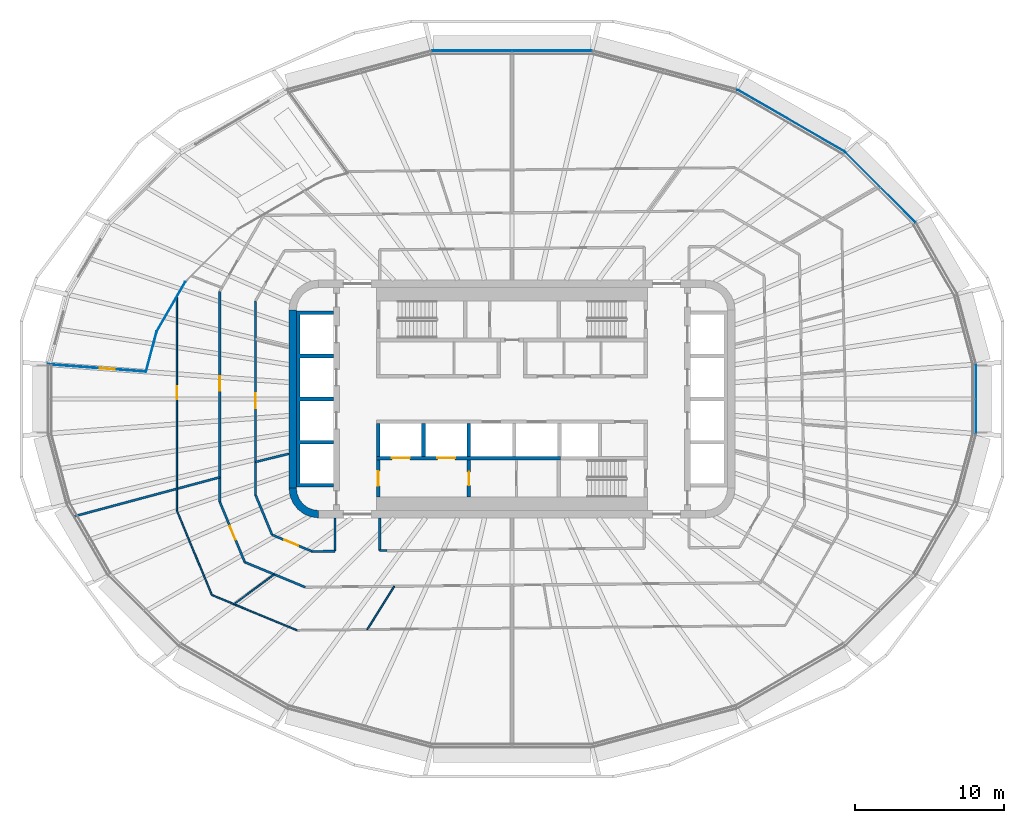
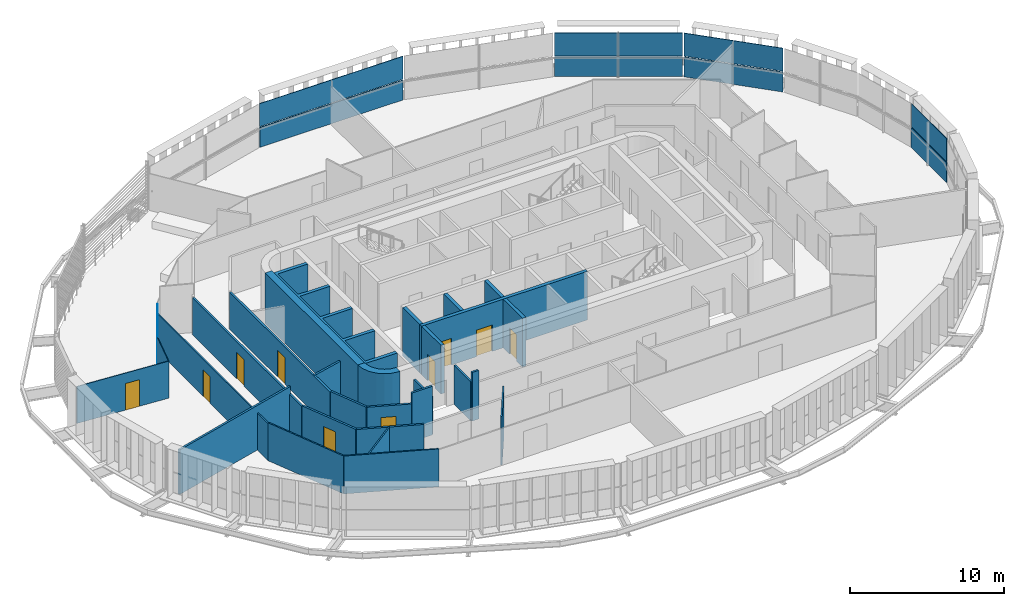
# One storey, part 11 of 23: 29 walls, 10 doors, 8 plates, 10 openings, 4 elements without a shape of their own.
"""IFC4 building model written with IfcOpenShell, lengths in metres."""

from ifc_helpers import new_model, si_unit, direction, frame, frame_2d, origin, place, context, subcontext, project, spatial, polyline, rectangle, outline, extrude, material, layer, layer_set, type_object, element, fill, aggregate, save


model = new_model("IFC4")

# Units and contexts
model_context = context("Model", 3, precision=1e-05, world=origin(), true_north=direction((0.0, 1.0)))
body_context = subcontext(model_context, "Body", "Model", "MODEL_VIEW")
ifc_project = project(units=[si_unit("LENGTHUNIT", "METRE"), si_unit("AREAUNIT", "SQUARE_METRE"), si_unit("VOLUMEUNIT", "CUBIC_METRE"), si_unit("PLANEANGLEUNIT", "RADIAN"), si_unit("MASSUNIT", "GRAM", prefix="KILO")], contexts=[model_context])

# Site, building, storey
site_placement = place(None, origin())
site = spatial("IfcSite", under=ifc_project, at=site_placement, CompositionType="ELEMENT")
building_placement = place(site_placement, origin())
building = spatial("IfcBuilding", under=site, at=building_placement, Name="Sahrelin Media Tower", CompositionType="ELEMENT")
storey_placement = place(building_placement, frame((0.0, 0.0, 169.60009765625)))
storey = spatial("IfcBuildingStorey", under=building, at=storey_placement, Name="L35", CompositionType="ELEMENT", Elevation=169.60009765625)

# Curtain wall, plate
ifc_material_1 = material(Name="Champagne anodised aluminium 6063-T6", Category="aluminium")
ifc_layer_1 = layer(ifc_material_1, 0.14990234375)
ifc_layer_set_1 = layer_set([ifc_layer_1], Name="Tower ribbon curtain wall")
curtain_wall_type = type_object("IfcCurtainWallType", Name="Tower ribbon curtain wall", PredefinedType="NOTDEFINED", material=ifc_layer_set_1)
curtain_wall_1_placement = place(storey_placement, frame((31.216552734375, 0.0, 0.0), z_axis=(0.0, 0.0, 1.0), x_axis=(1.0, 0.0, 0.0)))
curtain_wall_1 = element("IfcCurtainWall", 1, at=curtain_wall_1_placement, inside=storey, type_object=curtain_wall_type, Name="L35:CW:L35-00", PredefinedType="NOTDEFINED")
ifc_material_2 = material(Name="Clear low-iron glazing", Category="glass")
ifc_layer_2 = layer(ifc_material_2, 0.0439453125)
ifc_layer_set_2 = layer_set([ifc_layer_2], Name="Glazing panel 44 mm CW1B")
plate_type_1 = type_object("IfcPlateType", Name="Glazing panel 44 mm CW1B", PredefinedType="CURTAIN_PANEL", material=ifc_layer_set_2)
plate_1_placement = place(storey_placement, frame((31.236572265625, -2.282470703125, 1.6298828125), z_axis=(1.0, 0.0, 0.0), x_axis=(0.0, 1.0, 0.0)))
plate_1 = element("IfcPlate", 2, at=plate_1_placement, type_object=plate_type_1, Name="L35:CWP2:L35-00", PredefinedType="CURTAIN_PANEL", context=body_context, shape_type="SweptSolid", body=[
    extrude(outline(polyline([(0.0, 0.0), (4.56494140625, 0.0), (4.56494140625, 1.818603515625), (0.0, 1.818603515625), (0.0, 0.0)])), origin(), (0.0, 0.0, -1.0), 0.0439453125),
])

curtain_wall_2_placement = place(storey_placement, frame((24.794189453125, 14.236083984375, 0.0), z_axis=(0.0, 0.0, 1.0), x_axis=(1.0, 0.0, 0.0)))
curtain_wall_2 = element("IfcCurtainWall", 3, at=curtain_wall_2_placement, inside=storey, type_object=curtain_wall_type, Name="L35:CW:L35-03", PredefinedType="NOTDEFINED")
plate_2_placement = place(storey_placement, frame((27.1572265625, 11.9013671875, 1.6298828125), z_axis=(0.707106781187, 0.707106781187, 0.0), x_axis=(-0.707106781187, 0.707106781187, 0.0)))
plate_2 = element("IfcPlate", 4, at=plate_2_placement, type_object=plate_type_1, Name="L35:CWP2:L35-03", PredefinedType="CURTAIN_PANEL", context=body_context, shape_type="SweptSolid", body=[
    extrude(outline(polyline([(0.0, 0.0), (6.6435546875, 0.0), (6.6435546875, 1.818603515625), (0.0, 1.818603515625), (0.0, 0.0)])), origin(), (0.0, 0.0, -1.0), 0.0439453125),
])

curtain_wall_3_placement = place(storey_placement, frame((18.77099609375, 18.72119140625, 0.0), z_axis=(0.0, 0.0, 1.0), x_axis=(1.0, 0.0, 0.0)))
curtain_wall_3 = element("IfcCurtainWall", 5, at=curtain_wall_3_placement, inside=storey, type_object=curtain_wall_type, Name="L35:CW:L35-04", PredefinedType="NOTDEFINED")
plate_3_placement = place(storey_placement, frame((22.376708984375, 16.66259765625, 1.6298828125), z_axis=(0.499990528583, 0.866030872041, 0.0), x_axis=(-0.866030872041, 0.499990528583, 0.0)))
plate_3 = element("IfcPlate", 6, at=plate_3_placement, type_object=plate_type_1, Name="L35:CWP2:L35-04", PredefinedType="CURTAIN_PANEL", context=body_context, shape_type="SweptSolid", body=[
    extrude(outline(polyline([(0.0, 0.0), (8.303955078125, 0.0), (8.303955078125, 1.818603515625), (0.0, 1.818603515625), (0.0, 0.0)])), origin(), (0.0, 0.0, -1.0), 0.0439453125),
])

curtain_wall_4_placement = place(storey_placement, frame((0.0, 23.428466796875, 0.0), z_axis=(0.0, 0.0, 1.0), x_axis=(1.0, 0.0, 0.0)))
curtain_wall_4 = element("IfcCurtainWall", 7, at=curtain_wall_4_placement, inside=storey, type_object=curtain_wall_type, Name="L35:CW:L35-06", PredefinedType="NOTDEFINED")
plate_4_placement = place(storey_placement, frame((5.35546875, 23.448486328125, 1.6298828125), z_axis=(0.0, 1.0, 0.0), x_axis=(-1.0, 0.0, 0.0)))
plate_4 = element("IfcPlate", 8, at=plate_4_placement, type_object=plate_type_1, Name="L35:CWP2:L35-06", PredefinedType="CURTAIN_PANEL", context=body_context, shape_type="SweptSolid", body=[
    extrude(outline(polyline([(0.0, 0.0), (10.7109375, 0.0), (10.7109375, 1.818603515625), (0.0, 1.818603515625), (0.0, 0.0)])), origin(), (0.0, 0.0, -1.0), 0.0439453125),
])

# Plate
ifc_material_3 = material(Name="Insulated spandrel panel")
ifc_layer_3 = layer(ifc_material_3, 0.06005859375)
ifc_layer_set_3 = layer_set([ifc_layer_3], Name="Spandrel panel 60 mm CW1")
plate_type_2 = type_object("IfcPlateType", Name="Spandrel panel 60 mm CW1", PredefinedType="SHEET", material=ifc_layer_set_3)
plate_5_placement = place(storey_placement, frame((31.236572265625, -2.282470703125, 0.0), z_axis=(1.0, 0.0, 0.0), x_axis=(0.0, 1.0, 0.0)))
plate_5 = element("IfcPlate", 9, at=plate_5_placement, type_object=plate_type_2, Name="L35:CWP1:L35-00", PredefinedType="SHEET", context=body_context, shape_type="SweptSolid", body=[
    extrude(outline(polyline([(0.0, 0.0), (4.56494140625, 0.0), (4.56494140625, 1.56982421875), (0.0, 1.56982421875), (0.0, 0.0)])), origin(), (0.0, 0.0, -1.0), 0.06005859375),
])

aggregate(curtain_wall_1, [plate_5, plate_1])

plate_6_placement = place(storey_placement, frame((27.1572265625, 11.9013671875, 0.0), z_axis=(0.707106781187, 0.707106781187, 0.0), x_axis=(-0.707106781187, 0.707106781187, 0.0)))
plate_6 = element("IfcPlate", 10, at=plate_6_placement, type_object=plate_type_2, Name="L35:CWP1:L35-03", PredefinedType="SHEET", context=body_context, shape_type="SweptSolid", body=[
    extrude(outline(polyline([(0.0, 0.0), (6.6435546875, 0.0), (6.6435546875, 1.56982421875), (0.0, 1.56982421875), (0.0, 0.0)])), origin(), (0.0, 0.0, -1.0), 0.06005859375),
])

aggregate(curtain_wall_2, [plate_6, plate_2])

plate_7_placement = place(storey_placement, frame((22.376708984375, 16.66259765625, 0.0), z_axis=(0.499990528583, 0.866030872041, 0.0), x_axis=(-0.866030872041, 0.499990528583, 0.0)))
plate_7 = element("IfcPlate", 11, at=plate_7_placement, type_object=plate_type_2, Name="L35:CWP1:L35-04", PredefinedType="SHEET", context=body_context, shape_type="SweptSolid", body=[
    extrude(outline(polyline([(0.0, 0.0), (8.303955078125, 0.0), (8.303955078125, 1.56982421875), (0.0, 1.56982421875), (0.0, 0.0)])), origin(), (0.0, 0.0, -1.0), 0.06005859375),
])

aggregate(curtain_wall_3, [plate_7, plate_3])

plate_8_placement = place(storey_placement, frame((5.35546875, 23.448486328125, 0.0), z_axis=(0.0, 1.0, 0.0), x_axis=(-1.0, 0.0, 0.0)))
plate_8 = element("IfcPlate", 12, at=plate_8_placement, type_object=plate_type_2, Name="L35:CWP1:L35-06", PredefinedType="SHEET", context=body_context, shape_type="SweptSolid", body=[
    extrude(outline(polyline([(0.0, 0.0), (10.7109375, 0.0), (10.7109375, 1.56982421875), (0.0, 1.56982421875), (0.0, 0.0)])), origin(), (0.0, 0.0, -1.0), 0.06005859375),
])

aggregate(curtain_wall_4, [plate_8, plate_4])

# Walls
ifc_material_4 = material(Name="Concrete C60/75", Category="concrete")
ifc_layer_4 = layer(ifc_material_4, 0.5)
ifc_layer_set_4 = layer_set([ifc_layer_4], Name="Core wall 500")
wall_type_1 = type_object("IfcWallType", Name="Core wall 500", PredefinedType="SHEAR", material=ifc_layer_set_4)
wall_1_placement = place(storey_placement, frame((-14.75, -6.0, 0.0), z_axis=(0.0, 0.0, 1.0), x_axis=(0.0, 1.0, 0.0)))
element("IfcWall", 13, at=wall_1_placement, inside=storey, type_object=wall_type_1, Name="Core wall W L35", PredefinedType="SHEAR", context=body_context, shape_type="SweptSolid", body=[
    extrude(rectangle(XDim=12.0, YDim=0.5, at=frame_2d((6.0, 0.0))), origin(), (0.0, 0.0, 1.0), 4.0),
])
placement = place(storey_placement, origin())
element("IfcWall", 14, at=placement, inside=storey, type_object=wall_type_1, Name="Core wall corner SW L35", PredefinedType="SHEAR", context=body_context, shape_type="SweptSolid", body=[
    extrude(outline(polyline([(-13.0, -8.0), (-13.0, -7.49560546875), (-13.38720703125, -7.44482421875), (-13.747802734375, -7.29541015625), (-14.0576171875, -7.0576171875), (-14.29541015625, -6.747802734375), (-14.44482421875, -6.38720703125), (-14.49560546875, -6.0), (-15.0, -6.0), (-14.931884765625, -6.517578125), (-14.732177734375, -7.0), (-14.414306640625, -7.414306640625), (-14.0, -7.732177734375), (-13.517578125, -7.931884765625), (-13.0, -8.0)])), origin(), (0.0, 0.0, 1.0), 4.0),
])

# Wall, opening, door
ifc_material_5 = material(Name="Fire-rated gypsum board partition")
ifc_layer_5 = layer(ifc_material_5, 0.14990234375)
ifc_layer_set_5 = layer_set([ifc_layer_5], Name="Fire-rated partition 150")
wall_type_2 = type_object("IfcWallType", Name="Fire-rated partition 150", PredefinedType="PARTITIONING", material=ifc_layer_set_5)
wall_3_placement = place(storey_placement, frame((-19.64990234375, -6.925048828125, 0.0), z_axis=(0.0, 0.0, 1.0), x_axis=(0.38279467838, -0.923833445056, 0.0)))
wall_3 = element("IfcWall", 15, at=wall_3_placement, inside=storey, type_object=wall_type_2, Name="Wall", PredefinedType="PARTITIONING", context=body_context, shape_type="SweptSolid", body=[
    extrude(rectangle(XDim=4.381591796875, YDim=0.14990234375, at=frame_2d((2.19091796875, 0.0))), origin(), (0.0, 0.0, 1.0), 2.994873046875),
])
opening_1_placement = place(wall_3_placement, frame((1.744140625, 0.0, 0.0)))
opening_1 = element("IfcOpeningElement", 16, at=opening_1_placement, cuts=wall_3, Name="Opening L35-D33", PredefinedType="OPENING", context=body_context, shape_type="SweptSolid", body=[
    extrude(rectangle(XDim=1.0, YDim=2.10009765625, at=frame_2d((0.5, 1.050048828125))), frame((0.0, 0.074951171875, 0.0), z_axis=(0.0, -1.0, 0.0), x_axis=(1.0, 0.0, 0.0)), (0.0, 0.0, 1.0), 0.14990234375),
])
ifc_material_6 = material(Name="Steel fire door leaf", Category="steel")
door_type_1 = type_object("IfcDoorType", Name="Fire door 1000 x 2100 EI 60", OperationType="NOTDEFINED", PredefinedType="DOOR", material=ifc_material_6)
door_1_placement = place(opening_1_placement, origin())
door_1 = element("IfcDoor", 17, at=door_1_placement, inside=storey, type_object=door_type_1, Name="Fire door", OperationType="SINGLE_SWING_LEFT", OverallHeight=2.10009765625, OverallWidth=1.0, PredefinedType="DOOR", context=body_context, shape_type="SweptSolid", body=[
    extrude(rectangle(XDim=1.0, YDim=2.10009765625, at=frame_2d((0.5, 1.050048828125))), frame((0.0, 0.02490234375, 0.0), z_axis=(0.0, -1.0, 0.0), x_axis=(1.0, 0.0, 0.0)), (0.0, 0.0, 1.0), 0.050048828125),
])
fill(opening_1, door_1)

# Walls
wall_4_placement = place(storey_placement, frame((-17.25, -6.447998046875, 0.0), z_axis=(0.0, 0.0, 1.0), x_axis=(0.382791482122, -0.923834769434, 0.0)))
element("IfcWall", 18, at=wall_4_placement, inside=storey, type_object=wall_type_2, Name="Wall", PredefinedType="PARTITIONING", context=body_context, shape_type="SweptSolid", body=[
    extrude(rectangle(XDim=2.90966796875, YDim=0.14990234375, at=frame_2d((1.454833984375, 0.0))), origin(), (0.0, 0.0, 1.0), 2.994873046875),
])
wall_5_placement = place(storey_placement, frame((-17.972900390625, -10.972900390625, 0.0), z_axis=(0.0, 0.0, 1.0), x_axis=(0.923858763081, -0.382733570356, 0.0)))
element("IfcWall", 19, at=wall_5_placement, inside=storey, type_object=wall_type_2, Name="Wall", PredefinedType="PARTITIONING", context=body_context, shape_type="SweptSolid", body=[
    extrude(rectangle(XDim=4.4052734375, YDim=0.14990234375, at=frame_2d((2.20263671875, 0.0))), origin(), (0.0, 0.0, 1.0), 2.994873046875),
])

# Wall, opening, door
wall_6_placement = place(storey_placement, frame((-16.135986328125, -9.135986328125, 0.0), z_axis=(0.0, 0.0, 1.0), x_axis=(0.923883401113, -0.3826740926, 0.0)))
wall_6 = element("IfcWall", 20, at=wall_6_placement, inside=storey, type_object=wall_type_2, Name="Wall", PredefinedType="PARTITIONING", context=body_context, shape_type="SweptSolid", body=[
    extrude(rectangle(XDim=2.92138671875, YDim=0.14990234375, at=frame_2d((1.460693359375, 0.0))), origin(), (0.0, 0.0, 1.0), 2.994873046875),
])
opening_2_placement = place(wall_6_placement, frame((0.908935546875, 0.0, 0.0)))
opening_2 = element("IfcOpeningElement", 21, at=opening_2_placement, cuts=wall_6, Name="Opening L35-D32", PredefinedType="OPENING", context=body_context, shape_type="SweptSolid", body=[
    extrude(rectangle(XDim=1.0, YDim=2.10009765625, at=frame_2d((0.5, 1.050048828125))), frame((0.0, 0.074951171875, 0.0), z_axis=(0.0, -1.0, 0.0), x_axis=(1.0, 0.0, 0.0)), (0.0, 0.0, 1.0), 0.14990234375),
])
door_2_placement = place(opening_2_placement, origin())
door_2 = element("IfcDoor", 22, at=door_2_placement, inside=storey, type_object=door_type_1, Name="Fire door", OperationType="SINGLE_SWING_RIGHT", OverallHeight=2.10009765625, OverallWidth=1.0, PredefinedType="DOOR", context=body_context, shape_type="SweptSolid", body=[
    extrude(rectangle(XDim=1.0, YDim=2.10009765625, at=frame_2d((0.5, 1.050048828125))), frame((0.0, 0.02490234375, 0.0), z_axis=(0.0, -1.0, 0.0), x_axis=(1.0, 0.0, 0.0)), (0.0, 0.0, 1.0), 0.050048828125),
])
fill(opening_2, door_2)

# Walls
wall_7_placement = place(storey_placement, frame((-8.89990234375, -10.194091796875, 0.0), z_axis=(0.0, 0.0, 1.0), x_axis=(1.0, 0.0, 0.0)))
element("IfcWall", 23, at=wall_7_placement, inside=storey, type_object=wall_type_2, Name="Wall", PredefinedType="PARTITIONING", context=body_context, shape_type="SweptSolid", body=[
    extrude(rectangle(XDim=0.48583984375, YDim=0.14990234375, at=frame_2d((0.242919921875, 0.0))), origin(), (0.0, 0.0, 1.0), 3.849853515625),
])
wall_8_placement = place(storey_placement, frame((-13.43701171875, -10.25390625, 0.0), z_axis=(0.0, 0.0, 1.0), x_axis=(0.999951516679, 0.009847044796, 0.0)))
element("IfcWall", 24, at=wall_8_placement, inside=storey, type_object=wall_type_2, Name="Wall", PredefinedType="PARTITIONING", context=body_context, shape_type="SweptSolid", body=[
    extrude(rectangle(XDim=1.537109375, YDim=0.14990234375, at=frame_2d((0.7685546875, 0.0))), origin(), (0.0, 0.0, 1.0), 3.849853515625),
])
wall_9_placement = place(storey_placement, frame((-17.25, -4.23388671875, 0.0), z_axis=(0.0, 0.0, 1.0), x_axis=(0.971126143966, 0.238566578769, 0.0)))
element("IfcWall", 25, at=wall_9_placement, inside=storey, type_object=wall_type_2, Name="Wall", PredefinedType="PARTITIONING", context=body_context, shape_type="SweptSolid", body=[
    extrude(rectangle(XDim=2.31689453125, YDim=0.14990234375, at=frame_2d((1.158447265625, 0.0))), origin(), (0.0, 0.0, 1.0), 2.927001953125),
])
wall_10_placement = place(storey_placement, frame((-29.462890625, -7.89501953125, 0.0), z_axis=(0.0, 0.0, 1.0), x_axis=(0.965899878732, 0.258915863296, 0.0)))
element("IfcWall", 26, at=wall_10_placement, inside=storey, type_object=wall_type_2, Name="Wall", PredefinedType="PARTITIONING", context=body_context, shape_type="SweptSolid", body=[
    extrude(rectangle(XDim=10.1591796875, YDim=0.14990234375, at=frame_2d((5.07958984375, 0.0))), origin(), (0.0, 0.0, 1.0), 3.526611328125),
])
wall_11_placement = place(storey_placement, frame((-8.89990234375, -10.194091796875, 0.0), z_axis=(0.0, 0.0, 1.0), x_axis=(0.0, 1.0, 0.0)))
element("IfcWall", 27, at=wall_11_placement, inside=storey, type_object=wall_type_2, Name="Wall", PredefinedType="PARTITIONING", context=body_context, shape_type="SweptSolid", body=[
    extrude(rectangle(XDim=2.194091796875, YDim=0.14990234375, at=frame_2d((1.09716796875, 0.0))), origin(), (0.0, 0.0, 1.0), 3.075927734375),
])
wall_12_placement = place(storey_placement, frame((-11.89990234375, -10.239013671875, 0.0), z_axis=(0.0, 0.0, 1.0), x_axis=(0.0, 1.0, 0.0)))
element("IfcWall", 28, at=wall_12_placement, inside=storey, type_object=wall_type_2, Name="Wall", PredefinedType="PARTITIONING", context=body_context, shape_type="SweptSolid", body=[
    extrude(rectangle(XDim=2.239013671875, YDim=0.14990234375, at=frame_2d((1.11962890625, 0.0))), origin(), (0.0, 0.0, 1.0), 2.994873046875),
])

# Wall, opening, door
wall_13_placement = place(storey_placement, frame((-17.25, -6.447998046875, 0.0), z_axis=(0.0, 0.0, 1.0), x_axis=(0.0, 1.0, 0.0)))
wall_13 = element("IfcWall", 29, at=wall_13_placement, inside=storey, type_object=wall_type_2, Name="Wall", PredefinedType="PARTITIONING", context=body_context, shape_type="SweptSolid", body=[
    extrude(rectangle(XDim=13.051025390625, YDim=0.14990234375, at=frame_2d((6.525390625, 0.0))), origin(), (0.0, 0.0, 1.0), 2.927001953125),
])
opening_3_placement = place(wall_13_placement, frame((5.843017578125, 0.0, 0.0)))
opening_3 = element("IfcOpeningElement", 30, at=opening_3_placement, cuts=wall_13, Name="Opening L35-D31", PredefinedType="OPENING", context=body_context, shape_type="SweptSolid", body=[
    extrude(rectangle(XDim=1.0, YDim=2.10009765625, at=frame_2d((0.5, 1.050048828125))), frame((0.0, 0.074951171875, 0.0), z_axis=(0.0, -1.0, 0.0), x_axis=(1.0, 0.0, 0.0)), (0.0, 0.0, 1.0), 0.14990234375),
])
door_3_placement = place(opening_3_placement, origin())
door_3 = element("IfcDoor", 31, at=door_3_placement, inside=storey, type_object=door_type_1, Name="Fire door", OperationType="SINGLE_SWING_RIGHT", OverallHeight=2.10009765625, OverallWidth=1.0, PredefinedType="DOOR", context=body_context, shape_type="SweptSolid", body=[
    extrude(rectangle(XDim=1.0, YDim=2.10009765625, at=frame_2d((0.5, 1.050048828125))), frame((0.0, 0.02490234375, 0.0), z_axis=(0.0, -1.0, 0.0), x_axis=(1.0, 0.0, 0.0)), (0.0, 0.0, 1.0), 0.050048828125),
])
fill(opening_3, door_3)

wall_14_placement = place(storey_placement, frame((-19.64990234375, -6.925048828125, 0.0), z_axis=(0.0, 0.0, 1.0), x_axis=(0.0, 1.0, 0.0)))
wall_14 = element("IfcWall", 32, at=wall_14_placement, inside=storey, type_object=wall_type_2, Name="Wall", PredefinedType="PARTITIONING", context=body_context, shape_type="SweptSolid", body=[
    extrude(rectangle(XDim=14.171142578125, YDim=0.14990234375, at=frame_2d((7.08544921875, 0.0))), origin(), (0.0, 0.0, 1.0), 2.927001953125),
])
opening_4_placement = place(wall_14_placement, frame((7.465576171875, 0.0, 0.0)))
opening_4 = element("IfcOpeningElement", 33, at=opening_4_placement, cuts=wall_14, Name="Opening L35-D54", PredefinedType="OPENING", context=body_context, shape_type="SweptSolid", body=[
    extrude(rectangle(XDim=1.0, YDim=2.10009765625, at=frame_2d((0.5, 1.050048828125))), frame((0.0, 0.074951171875, 0.0), z_axis=(0.0, -1.0, 0.0), x_axis=(1.0, 0.0, 0.0)), (0.0, 0.0, 1.0), 0.14990234375),
])
door_4_placement = place(opening_4_placement, origin())
door_4 = element("IfcDoor", 34, at=door_4_placement, inside=storey, type_object=door_type_1, Name="Fire door", OperationType="SINGLE_SWING_RIGHT", OverallHeight=2.10009765625, OverallWidth=1.0, PredefinedType="DOOR", context=body_context, shape_type="SweptSolid", body=[
    extrude(rectangle(XDim=1.0, YDim=2.10009765625, at=frame_2d((0.5, 1.050048828125))), frame((0.0, 0.02490234375, 0.0), z_axis=(0.0, -1.0, 0.0), x_axis=(1.0, 0.0, 0.0)), (0.0, 0.0, 1.0), 0.050048828125),
])
fill(opening_4, door_4)

ifc_layer_6 = layer(ifc_material_5, 0.25)
ifc_layer_set_6 = layer_set([ifc_layer_6], Name="Firefighting lobby wall 250")
wall_type_3 = type_object("IfcWallType", Name="Firefighting lobby wall 250", PredefinedType="PARTITIONING", material=ifc_layer_set_6)
wall_15_placement = place(storey_placement, frame((-9.0, -6.60009765625, 0.0), z_axis=(0.0, 0.0, 1.0), x_axis=(0.0, 1.0, 0.0)))
wall_15 = element("IfcWall", 35, at=wall_15_placement, inside=storey, type_object=wall_type_3, Name="Core wall", PredefinedType="PARTITIONING", context=body_context, shape_type="SweptSolid", body=[
    extrude(rectangle(XDim=2.5, YDim=0.25, at=frame_2d((1.25, 0.0))), origin(), (0.0, 0.0, 1.0), 3.849853515625),
])
opening_5_placement = place(wall_15_placement, frame((0.75, 0.0, 0.0)))
opening_5 = element("IfcOpeningElement", 36, at=opening_5_placement, cuts=wall_15, Name="Opening L35-D04", PredefinedType="OPENING", context=body_context, shape_type="SweptSolid", body=[
    extrude(rectangle(XDim=1.0, YDim=2.10009765625, at=frame_2d((0.5, 1.050048828125))), frame((0.0, 0.125, 0.0), z_axis=(0.0, -1.0, 0.0), x_axis=(1.0, 0.0, 0.0)), (0.0, 0.0, 1.0), 0.25),
])
door_type_2 = type_object("IfcDoorType", Name="Firefighting lobby door 1000 x 2100 EI 120", OperationType="NOTDEFINED", PredefinedType="DOOR", material=ifc_material_6)
door_5_placement = place(opening_5_placement, origin())
door_5 = element("IfcDoor", 37, at=door_5_placement, inside=storey, type_object=door_type_2, Name="Firefighting lobby door", OperationType="SINGLE_SWING_LEFT", OverallHeight=2.10009765625, OverallWidth=1.0, PredefinedType="DOOR", context=body_context, shape_type="SweptSolid", body=[
    extrude(rectangle(XDim=1.0, YDim=2.10009765625, at=frame_2d((0.5, 1.050048828125))), frame((0.0, 0.02490234375, 0.0), z_axis=(0.0, -1.0, 0.0), x_axis=(1.0, 0.0, 0.0)), (0.0, 0.0, 1.0), 0.050048828125),
])
fill(opening_5, door_5)

wall_16_placement = place(storey_placement, frame((-2.89990234375, -6.60009765625, 0.0), z_axis=(0.0, 0.0, 1.0), x_axis=(0.0, 1.0, 0.0)))
wall_16 = element("IfcWall", 38, at=wall_16_placement, inside=storey, type_object=wall_type_3, Name="Core wall", PredefinedType="PARTITIONING", context=body_context, shape_type="SweptSolid", body=[
    extrude(rectangle(XDim=2.5, YDim=0.25, at=frame_2d((1.25, 0.0))), origin(), (0.0, 0.0, 1.0), 3.849853515625),
])
opening_6_placement = place(wall_16_placement, frame((0.800048828125, 0.0, 0.0)))
opening_6 = element("IfcOpeningElement", 39, at=opening_6_placement, cuts=wall_16, Name="Opening L35-D05", PredefinedType="OPENING", context=body_context, shape_type="SweptSolid", body=[
    extrude(rectangle(XDim=0.89990234375, YDim=2.10009765625, at=frame_2d((0.449951171875, 1.050048828125))), frame((0.0, 0.125, 0.0), z_axis=(0.0, -1.0, 0.0), x_axis=(1.0, 0.0, 0.0)), (0.0, 0.0, 1.0), 0.25),
])
door_type_3 = type_object("IfcDoorType", Name="Firefighting lobby door 900 x 2100 EI 120", OperationType="NOTDEFINED", PredefinedType="DOOR", material=ifc_material_6)
door_6_placement = place(opening_6_placement, origin())
door_6 = element("IfcDoor", 40, at=door_6_placement, inside=storey, type_object=door_type_3, Name="Riser door", OperationType="SINGLE_SWING_RIGHT", OverallHeight=2.10009765625, OverallWidth=0.89990234375, PredefinedType="DOOR", context=body_context, shape_type="SweptSolid", body=[
    extrude(rectangle(XDim=0.89990234375, YDim=2.10009765625, at=frame_2d((0.449951171875, 1.050048828125))), frame((0.0, 0.02490234375, 0.0), z_axis=(0.0, -1.0, 0.0), x_axis=(1.0, 0.0, 0.0)), (0.0, 0.0, 1.0), 0.050048828125),
])
fill(opening_6, door_6)

ifc_material_7 = material(Name="Clear glass", Category="glass")
ifc_layer_7 = layer(ifc_material_7, 0.050048828125)
ifc_layer_set_7 = layer_set([ifc_layer_7], Name="Glazed partition 50")
wall_type_4 = type_object("IfcWallType", Name="Glazed partition 50", PredefinedType="PARTITIONING", material=ifc_layer_set_7)
wall_17_placement = place(storey_placement, frame((-31.216064453125, 2.33203125, 0.0), z_axis=(0.0, 0.0, 1.0), x_axis=(0.997231283114, -0.074362409721, 0.0)))
wall_17 = element("IfcWall", 41, at=wall_17_placement, inside=storey, type_object=wall_type_4, Name="Wall", PredefinedType="PARTITIONING", context=body_context, shape_type="SweptSolid", body=[
    extrude(rectangle(XDim=6.615478515625, YDim=0.050048828125, at=frame_2d((3.3076171875, 0.0))), origin(), (0.0, 0.0, 1.0), 2.927001953125),
])
opening_7_placement = place(wall_17_placement, frame((3.510009765625, 0.0, 0.0)))
opening_7 = element("IfcOpeningElement", 42, at=opening_7_placement, cuts=wall_17, Name="Opening L35-D56", PredefinedType="OPENING", context=body_context, shape_type="SweptSolid", body=[
    extrude(rectangle(XDim=1.0, YDim=2.10009765625, at=frame_2d((0.5, 1.050048828125))), frame((0.0, 0.02490234375, 0.0), z_axis=(0.0, -1.0, 0.0), x_axis=(1.0, 0.0, 0.0)), (0.0, 0.0, 1.0), 0.050048828125),
])
door_type_4 = type_object("IfcDoorType", Name="Glazed door 1000 x 2100", OperationType="NOTDEFINED", PredefinedType="DOOR", material=ifc_material_7)
door_7_placement = place(opening_7_placement, origin())
door_7 = element("IfcDoor", 43, at=door_7_placement, inside=storey, type_object=door_type_4, Name="Glazed door", OperationType="SINGLE_SWING_RIGHT", OverallHeight=2.10009765625, OverallWidth=1.0, PredefinedType="DOOR", context=body_context, shape_type="SweptSolid", body=[
    extrude(rectangle(XDim=1.0, YDim=2.10009765625, at=frame_2d((0.5, 1.050048828125))), frame((0.0, 0.02490234375, 0.0), z_axis=(0.0, -1.0, 0.0), x_axis=(1.0, 0.0, 0.0)), (0.0, 0.0, 1.0), 0.049560546875),
])
fill(opening_7, door_7)

# Walls
wall_18_placement = place(storey_placement, frame((-23.89697265625, 4.535888671875, 0.0), z_axis=(0.0, 0.0, 1.0), x_axis=(0.500023335103, 0.866011930837, 0.0)))
element("IfcWall", 44, at=wall_18_placement, inside=storey, type_object=wall_type_4, Name="Wall", PredefinedType="PARTITIONING", context=body_context, shape_type="SweptSolid", body=[
    extrude(rectangle(XDim=3.839599609375, YDim=0.050048828125, at=frame_2d((1.919921875, 0.0))), origin(), (0.0, 0.0, 1.0), 2.927001953125),
])
wall_19_placement = place(storey_placement, frame((-24.618896484375, 1.840087890625, 0.0), z_axis=(0.0, 0.0, 1.0), x_axis=(0.258680696783, 0.965962885991, 0.0)))
element("IfcWall", 45, at=wall_19_placement, inside=storey, type_object=wall_type_4, Name="Wall", PredefinedType="PARTITIONING", context=body_context, shape_type="SweptSolid", body=[
    extrude(rectangle(XDim=2.790771484375, YDim=0.050048828125, at=frame_2d((1.3955078125, 0.0))), origin(), (0.0, 0.0, 1.0), 2.927001953125),
])

# Wall, openings, doors
ifc_layer_8 = layer(ifc_material_4, 0.25)
ifc_layer_set_8 = layer_set([ifc_layer_8], Name="Lift shaft wall 250")
wall_type_5 = type_object("IfcWallType", Name="Lift shaft wall 250", PredefinedType="SOLIDWALL", material=ifc_layer_set_8)
wall_20_placement = place(storey_placement, frame((-9.125, -3.97509765625, 0.0), z_axis=(0.0, 0.0, 1.0), x_axis=(1.0, 0.0, 0.0)))
wall_20 = element("IfcWall", 46, at=wall_20_placement, inside=storey, type_object=wall_type_5, Name="Lift shaft wall", PredefinedType="SOLIDWALL", context=body_context, shape_type="SweptSolid", body=[
    extrude(rectangle(XDim=12.39990234375, YDim=0.25, at=frame_2d((6.199951171875, 0.0))), origin(), (0.0, 0.0, 1.0), 3.849853515625),
])
opening_8_placement = place(wall_20_placement, frame((1.050048828125, 0.0, 0.0)))
opening_8 = element("IfcOpeningElement", 47, at=opening_8_placement, cuts=wall_20, Name="Opening L35-LD-FF1", PredefinedType="OPENING", context=body_context, shape_type="SweptSolid", body=[
    extrude(rectangle(XDim=1.199951171875, YDim=2.10009765625, at=frame_2d((0.60009765625, 1.050048828125))), frame((0.0, 0.125, 0.0), z_axis=(0.0, -1.0, 0.0), x_axis=(1.0, 0.0, 0.0)), (0.0, 0.0, 1.0), 0.25),
])
opening_9_placement = place(wall_20_placement, frame((4.10009765625, 0.0, 0.0)))
opening_9 = element("IfcOpeningElement", 48, at=opening_9_placement, cuts=wall_20, Name="Opening L35-LD-FF2", PredefinedType="OPENING", context=body_context, shape_type="SweptSolid", body=[
    extrude(rectangle(XDim=1.199951171875, YDim=2.10009765625, at=frame_2d((0.60009765625, 1.050048828125))), frame((0.0, 0.125, 0.0), z_axis=(0.0, -1.0, 0.0), x_axis=(1.0, 0.0, 0.0)), (0.0, 0.0, 1.0), 0.25),
])
ifc_material_8 = material(Name="Stainless steel", Category="steel")
door_type_5 = type_object("IfcDoorType", Name="Lift landing door 1200 x 2100 EI 120", OperationType="DOUBLE_DOOR_SLIDING", PredefinedType="DOOR", material=ifc_material_8)
door_8_placement = place(opening_8_placement, origin())
door_8 = element("IfcDoor", 49, at=door_8_placement, inside=storey, type_object=door_type_5, Name="Lift landing door FF1", OperationType="DOUBLE_DOOR_SLIDING", OverallHeight=2.10009765625, OverallWidth=1.199951171875, PredefinedType="DOOR", context=body_context, shape_type="SweptSolid", body=[
    extrude(rectangle(XDim=1.199951171875, YDim=2.10009765625, at=frame_2d((0.60009765625, 1.050048828125))), frame((0.0, 0.02490234375, 0.0), z_axis=(0.0, -1.0, 0.0), x_axis=(1.0, 0.0, 0.0)), (0.0, 0.0, 1.0), 0.050048828125),
])
fill(opening_8, door_8)
door_9_placement = place(opening_9_placement, origin())
door_9 = element("IfcDoor", 50, at=door_9_placement, inside=storey, type_object=door_type_5, Name="Lift landing door FF2", OperationType="DOUBLE_DOOR_SLIDING", OverallHeight=2.10009765625, OverallWidth=1.199951171875, PredefinedType="DOOR", context=body_context, shape_type="SweptSolid", body=[
    extrude(rectangle(XDim=1.199951171875, YDim=2.10009765625, at=frame_2d((0.60009765625, 1.050048828125))), frame((0.0, 0.02490234375, 0.0), z_axis=(0.0, -1.0, 0.0), x_axis=(1.0, 0.0, 0.0)), (0.0, 0.0, 1.0), 0.050048828125),
])
fill(opening_9, door_9)

# Walls
for number, where, z_axis, x_axis, name in (
    (51, (-9.0, -3.85009765625, 0.0), (0.0, 0.0, 1.0), (0.0, 1.0, 0.0), "Lift shaft wall"),
    (52, (-5.949951171875, -3.85009765625, 0.0), (0.0, 0.0, 1.0), (0.0, 1.0, 0.0), "Lift shaft wall"),
    (53, (-2.89990234375, -3.85009765625, 0.0), (0.0, 0.0, 1.0), (0.0, 1.0, 0.0), "Lift shaft wall"),
):
    element("IfcWall", number, at=place(storey_placement, frame(where, z_axis=z_axis, x_axis=x_axis)), inside=storey, type_object=wall_type_5, Name=name, PredefinedType="SOLIDWALL", context=body_context, shape_type="SweptSolid", body=[
        extrude(rectangle(XDim=2.2001953125, YDim=0.25, at=frame_2d((1.10009765625, 0.0))), origin(), (0.0, 0.0, 1.0), 3.849853515625),
    ])
element("IfcWall", 54, at=placement, inside=storey, type_object=wall_type_5, Name="Lift shaft wall", PredefinedType="SOLIDWALL", context=body_context, shape_type="SweptSolid", body=[
    extrude(outline(polyline([(-12.0, -5.925048828125), (-12.0, -5.675048828125), (-14.25, -5.675048828125), (-14.25, -3.02490234375), (-12.0, -3.02490234375), (-12.0, -2.77490234375), (-14.25, -2.77490234375), (-14.25, -0.125), (-12.0, -0.125), (-12.0, 0.125), (-14.25, 0.125), (-14.25, 2.77490234375), (-12.0, 2.77490234375), (-12.0, 3.02490234375), (-14.25, 3.02490234375), (-14.25, 5.675048828125), (-12.0, 5.675048828125), (-12.0, 5.925048828125), (-14.25, 5.925048828125), (-14.5, 5.925048828125), (-14.5, 5.675048828125), (-14.5, 3.02490234375), (-14.5, 2.77490234375), (-14.5, 0.125), (-14.5, -0.125), (-14.5, -2.77490234375), (-14.5, -3.02490234375), (-14.5, -5.675048828125), (-14.5, -5.925048828125), (-14.25, -5.925048828125), (-12.0, -5.925048828125)])), origin(), (0.0, 0.0, 1.0), 3.849853515625),
])
ifc_material_9 = material(Name="Gypsum board partition")
ifc_layer_9 = layer(ifc_material_9, 0.10009765625)
ifc_layer_set_9 = layer_set([ifc_layer_9], Name="Partition 100")
wall_type_6 = type_object("IfcWallType", Name="Partition 100", PredefinedType="PARTITIONING", material=ifc_layer_set_9)
wall_22_placement = place(storey_placement, frame((-22.5400390625, -7.5, 0.0), z_axis=(0.0, 0.0, 1.0), x_axis=(0.382704529509, -0.923870793506, 0.0)))
element("IfcWall", 55, at=wall_22_placement, inside=storey, type_object=wall_type_6, Name="Wall", PredefinedType="PARTITIONING", context=body_context, shape_type="SweptSolid", body=[
    extrude(rectangle(XDim=6.153564453125, YDim=0.10009765625, at=frame_2d((3.07666015625, 0.0))), origin(), (0.0, 0.0, 1.0), 2.994873046875),
])
wall_23_placement = place(storey_placement, frame((-20.18505859375, -13.18505859375, 0.0), z_axis=(0.0, 0.0, 1.0), x_axis=(0.923922664945, -0.382579284857, 0.0)))
element("IfcWall", 56, at=wall_23_placement, inside=storey, type_object=wall_type_6, Name="Wall", PredefinedType="PARTITIONING", context=body_context, shape_type="SweptSolid", body=[
    extrude(rectangle(XDim=6.192626953125, YDim=0.10009765625, at=frame_2d((3.09619140625, 0.0))), origin(), (0.0, 0.0, 1.0), 2.994873046875),
])
wall_24_placement = place(storey_placement, frame((-18.698974609375, -13.800048828125, 0.0), z_axis=(0.0, 0.0, 1.0), x_axis=(0.80472469698, 0.593648180382, 0.0)))
element("IfcWall", 57, at=wall_24_placement, inside=storey, type_object=wall_type_6, Name="Wall", PredefinedType="PARTITIONING", context=body_context, shape_type="SweptSolid", body=[
    extrude(rectangle(XDim=3.3740234375, YDim=0.10009765625, at=frame_2d((1.68701171875, 0.0))), origin(), (0.0, 0.0, 1.0), 2.994873046875),
])
wall_25_placement = place(storey_placement, frame((-9.743896484375, -15.508056640625, 0.0), z_axis=(0.0, 0.0, 1.0), x_axis=(0.531972068696, 0.846761901675, 0.0)))
element("IfcWall", 58, at=wall_25_placement, inside=storey, type_object=wall_type_6, Name="Wall", PredefinedType="PARTITIONING", context=body_context, shape_type="SweptSolid", body=[
    extrude(rectangle(XDim=3.434326171875, YDim=0.10009765625, at=frame_2d((1.71728515625, 0.0))), origin(), (0.0, 0.0, 1.0), 3.849853515625),
])

# Wall, opening, door
wall_26_placement = place(storey_placement, frame((-22.5400390625, -7.5, 0.0), z_axis=(0.0, 0.0, 1.0), x_axis=(0.0, 1.0, 0.0)))
wall_26 = element("IfcWall", 59, at=wall_26_placement, inside=storey, type_object=wall_type_6, Name="Wall", PredefinedType="PARTITIONING", context=body_context, shape_type="SweptSolid", body=[
    extrude(rectangle(XDim=14.385986328125, YDim=0.10009765625, at=frame_2d((7.19287109375, 0.0))), origin(), (0.0, 0.0, 1.0), 2.927001953125),
])
opening_10_placement = place(wall_26_placement, frame((7.472900390625, 0.0, 0.0)))
opening_10 = element("IfcOpeningElement", 60, at=opening_10_placement, cuts=wall_26, Name="Opening L35-D55", PredefinedType="OPENING", context=body_context, shape_type="SweptSolid", body=[
    extrude(rectangle(XDim=0.89990234375, YDim=2.10009765625, at=frame_2d((0.449951171875, 1.050048828125))), frame((0.0, 0.050048828125, 0.0), z_axis=(0.0, -1.0, 0.0), x_axis=(1.0, 0.0, 0.0)), (0.0, 0.0, 1.0), 0.10009765625),
])
ifc_material_10 = material(Name="Timber door leaf", Category="wood")
door_type_6 = type_object("IfcDoorType", Name="Single door 900 x 2100", OperationType="NOTDEFINED", PredefinedType="DOOR", material=ifc_material_10)
door_10_placement = place(opening_10_placement, origin())
door_10 = element("IfcDoor", 61, at=door_10_placement, inside=storey, type_object=door_type_6, Name="Single door", OperationType="SINGLE_SWING_RIGHT", OverallHeight=2.10009765625, OverallWidth=0.89990234375, PredefinedType="DOOR", context=body_context, shape_type="SweptSolid", body=[
    extrude(rectangle(XDim=0.89990234375, YDim=2.10009765625, at=frame_2d((0.449951171875, 1.050048828125))), frame((0.0, 0.02490234375, 0.0), z_axis=(0.0, -1.0, 0.0), x_axis=(1.0, 0.0, 0.0)), (0.0, 0.0, 1.0), 0.050048828125),
])
fill(opening_10, door_10)

save(model, "model.ifc")
